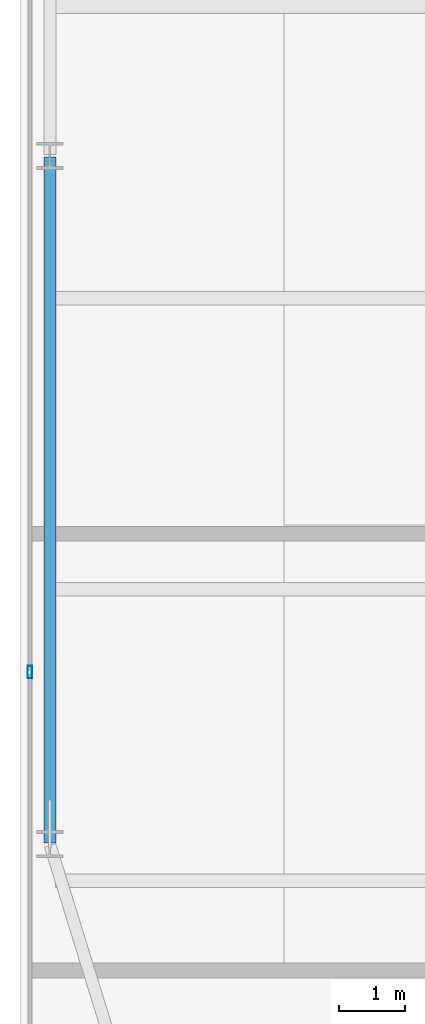
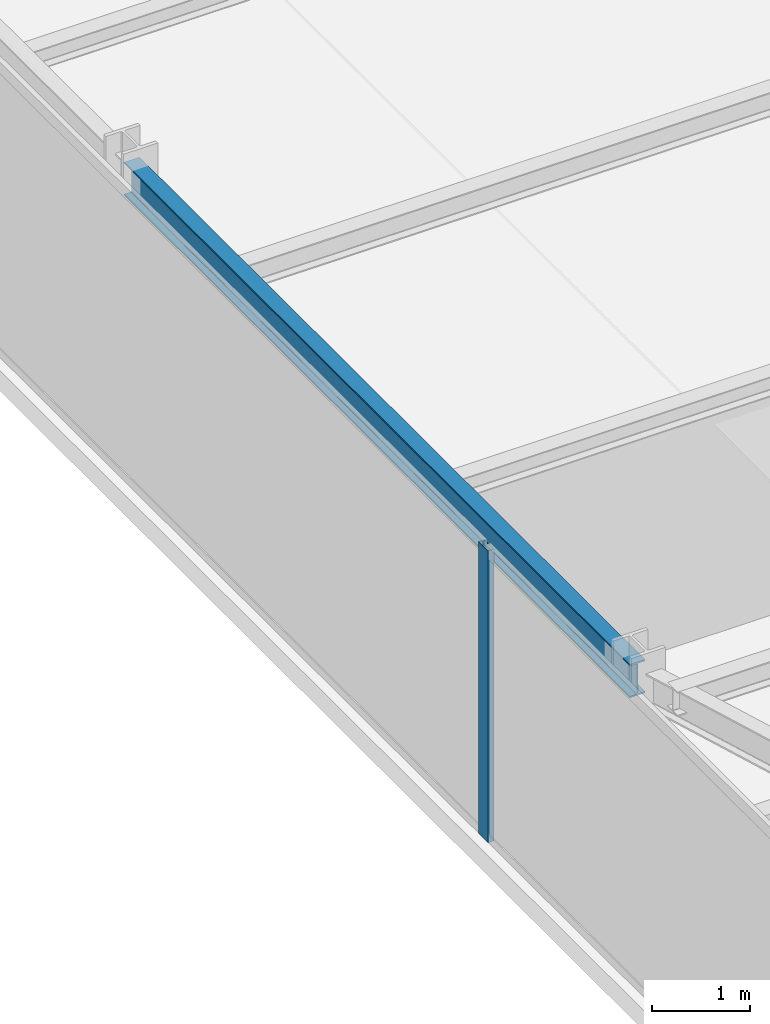
# One storey, part 8 of 31: 1 beam, 1 member, 1 element without a shape of its own.
"""IFC4 building model written with IfcOpenShell, lengths in metres."""

from ifc_helpers import new_model, si_unit, direction, frame, origin, origin_2d, place, context, subcontext, project, spatial, hollow_rectangle, i_section, extrude, source, transform, mapped, material, layer, layer_set, material_profile, profile_set, type_object, type_shapes, element, aggregate, save


model = new_model("IFC4")

# Units and contexts
model_context = context("Model", 3, precision=1e-05, world=origin(), true_north=direction((0.0, 1.0)))
body_context = subcontext(model_context, "Body", "Model", "MODEL_VIEW")
ifc_project = project(units=[si_unit("LENGTHUNIT", "METRE"), si_unit("AREAUNIT", "SQUARE_METRE"), si_unit("VOLUMEUNIT", "CUBIC_METRE"), si_unit("PLANEANGLEUNIT", "RADIAN"), si_unit("MASSUNIT", "GRAM", prefix="KILO")], contexts=[model_context])

# Site, building, storey
site_placement = place(None, origin())
site = spatial("IfcSite", under=ifc_project, at=site_placement, CompositionType="ELEMENT")
building_placement = place(site_placement, origin())
building = spatial("IfcBuilding", under=site, at=building_placement, Name="Varnel Quay Broadcast Tower", CompositionType="ELEMENT")
storey_placement = place(building_placement, frame((0.0, 0.0, 39.300048828125)))
storey = spatial("IfcBuildingStorey", under=building, at=storey_placement, Name="L08", CompositionType="ELEMENT", Elevation=39.300048828125)

# Beam
ifc_material_1 = material(Name="Structural Steel CSA G40.21 350W", Category="steel")
ifc_material_profile_1 = material_profile(ifc_material_1, i_section(OverallWidth=0.180908203125, OverallDepth=0.4169921875, WebThickness=0.010986328125, FlangeThickness=0.018310546875, FilletRadius=0.011962890625, at=origin_2d()), Name="W410X85")
ifc_profile_set_1 = profile_set([ifc_material_profile_1], Name="Structural Steel CSA G40.21 350W")
beam_type = type_object("IfcBeamType", Name="Beam_W410X85", PredefinedType="SPANDREL", material=ifc_profile_set_1)
shared_shape_1 = source(origin(), body_context, "Body", "SweptSolid", [
    extrude(i_section(OverallWidth=0.180908203125, OverallDepth=0.4169921875, WebThickness=0.010986328125, FlangeThickness=0.018310546875, FilletRadius=0.011962890625, at=origin_2d()), origin(), (0.0, 0.0, 1.0), 10.35986328125),
])
type_shapes(beam_type, [shared_shape_1])
beam_placement = place(storey_placement, frame((2.449951171875, 15.02001953125, 3.44140625), z_axis=(0.0, 1.0, 0.0), x_axis=(-1.0, 0.0, 0.0)))
element("IfcBeam", 1, at=beam_placement, inside=storey, type_object=beam_type, Name="L08 West Spandrel TC-W1-TC-W2", PredefinedType="SPANDREL", context=body_context, shape_type="MappedRepresentation", body=[
    mapped(shared_shape_1, transform((0.0, 0.0, 0.0), x_axis=(1.0, 0.0, 0.0), y_axis=(0.0, 1.0, 0.0), z_axis=(0.0, 0.0, 1.0), scale=1.0)),
])

# Curtain wall, member
ifc_material_2 = material(Name="Anodised Bronze Aluminium 6063-T6", Category="aluminium")
ifc_layer = layer(ifc_material_2, 0.18994140625, Name="Anodised Bronze Aluminium 6063-T6")
ifc_layer_set = layer_set([ifc_layer], Name="Anodised Bronze Aluminium 6063-T6")
curtain_wall_type = type_object("IfcCurtainWallType", Name="CW_LowerTower", PredefinedType="NOTDEFINED", material=ifc_layer_set)
curtain_wall_placement = place(storey_placement, origin())
curtain_wall = element("IfcCurtainWall", 2, at=curtain_wall_placement, inside=storey, type_object=curtain_wall_type, Name="L08 West Unitised Curtain Wall", PredefinedType="NOTDEFINED")
ifc_material_profile_2 = material_profile(ifc_material_2, hollow_rectangle(XDim=0.070068359375, YDim=0.18994140625, WallThickness=0.00390625, at=origin_2d()), Name="ALU70X190X4")
ifc_profile_set_2 = profile_set([ifc_material_profile_2], Name="Anodised Bronze Aluminium 6063-T6")
member_type = type_object("IfcMemberType", Name="Mull_CWS-02", PredefinedType="MULLION", material=ifc_profile_set_2)
shared_shape_2 = source(origin(), body_context, "Body", "SweptSolid", [
    extrude(hollow_rectangle(XDim=0.070068359375, YDim=0.18994140625, WallThickness=0.00390625, at=origin_2d()), origin(), (0.0, 0.0, 1.0), 3.64990234375),
])
type_shapes(member_type, [shared_shape_2])
member_placement = place(storey_placement, frame((2.14990234375, 17.60009765625, 0.0), z_axis=(0.0, 0.0, 1.0), x_axis=(-1.0, 0.0, 0.0)))
member = element("IfcMember", 3, at=member_placement, type_object=member_type, Name="CWS-02 mullion 2", PredefinedType="MULLION", context=body_context, shape_type="MappedRepresentation", body=[
    mapped(shared_shape_2, transform((0.0, 0.0, 0.0), x_axis=(1.0, 0.0, 0.0), y_axis=(0.0, 1.0, 0.0), z_axis=(0.0, 0.0, 1.0), scale=1.0)),
])
aggregate(curtain_wall, [member])

save(model, "model.ifc")
